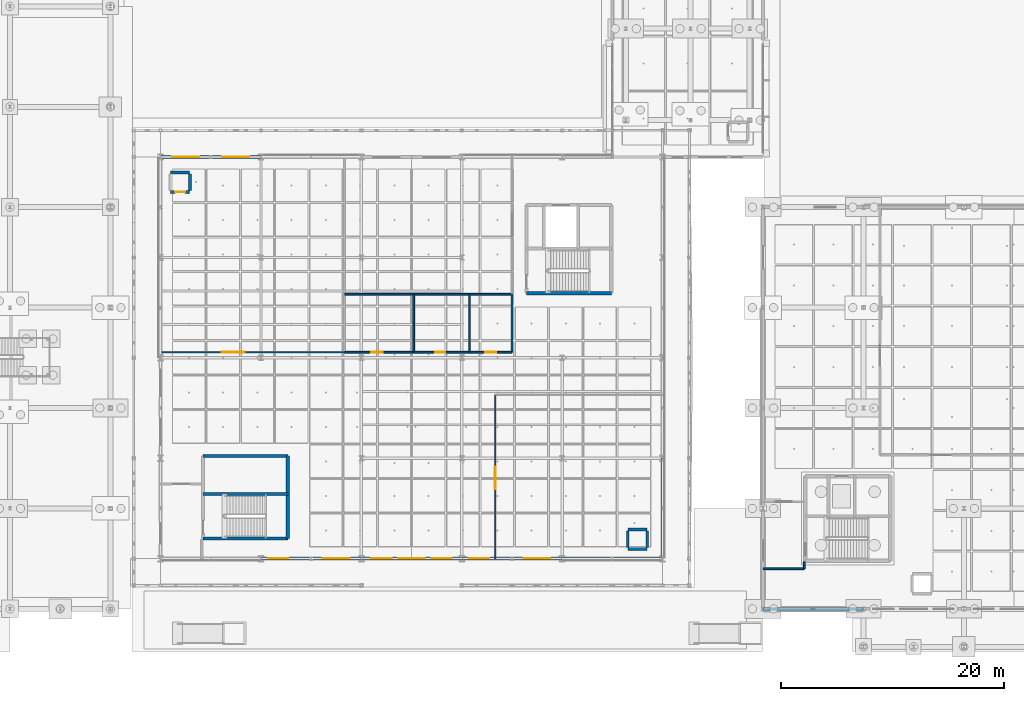
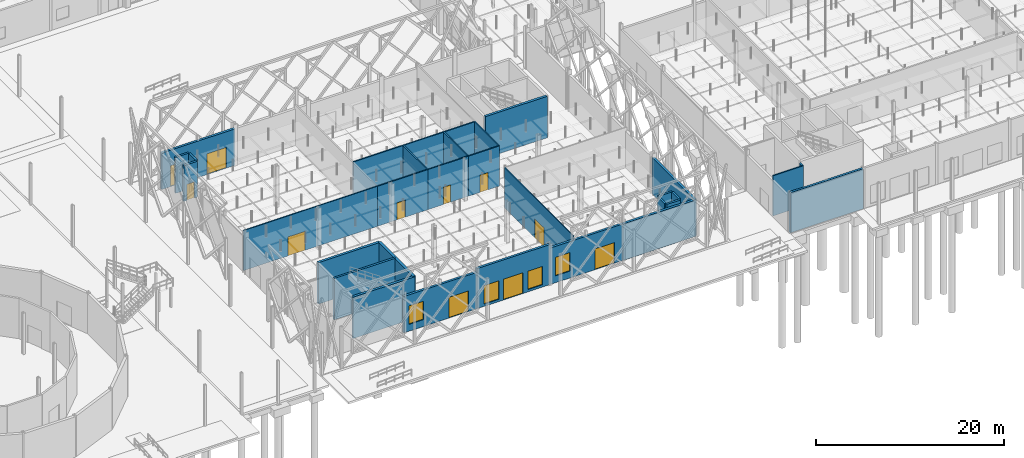
# One storey, part 95 of 180: 30 walls, 11 doors, 4 windows, 15 openings.
"""IFC4 building model written with IfcOpenShell, lengths in metres."""

from ifc_helpers import new_model, si_unit, direction, frame, frame_2d, origin, place, context, subcontext, project, spatial, rectangle, extrude, material, layer, layer_set, type_object, element, fill, save


model = new_model("IFC4")

# Units and contexts
model_context = context("Model", 3, precision=1e-05, world=origin(), true_north=direction((0.0, 1.0)))
body_context = subcontext(model_context, "Body", "Model", "MODEL_VIEW")
ifc_project = project(units=[si_unit("LENGTHUNIT", "METRE"), si_unit("AREAUNIT", "SQUARE_METRE"), si_unit("VOLUMEUNIT", "CUBIC_METRE"), si_unit("PLANEANGLEUNIT", "RADIAN"), si_unit("MASSUNIT", "GRAM", prefix="KILO"), si_unit("THERMODYNAMICTEMPERATUREUNIT", "KELVIN"), si_unit("POWERUNIT", "WATT")], contexts=[model_context])

# Site, building, storey
site_placement = place(None, origin())
site = spatial("IfcSite", under=ifc_project, at=site_placement, CompositionType="ELEMENT")
building_placement = place(site_placement, origin())
building = spatial("IfcBuilding", under=site, at=building_placement, Name="Tallowbark Science Centre", CompositionType="ELEMENT")
storey_placement = place(building_placement, origin())
storey = spatial("IfcBuildingStorey", under=building, at=storey_placement, Name="L00", CompositionType="ELEMENT", Elevation=0.0)

# Wall
ifc_material_1 = material(Name="Insulated Ribbed Precast Concrete Panel Grade N40 (40 MPa)", Category="concrete")
ifc_layer_1 = layer(ifc_material_1, 0.264892578125)
ifc_layer_set_1 = layer_set([ifc_layer_1], Name="Insulated Ribbed Precast Concrete Panel Grade N40 (40 MPa)")
wall_type_1 = type_object("IfcWallType", Name="EWL-PRC-265", PredefinedType="STANDARD", material=ifc_layer_set_1)
wall_1_placement = place(storey_placement, frame((112.5, 0.0, 0.0), z_axis=(0.0, 0.0, 1.0), x_axis=(1.0, 0.0, 0.0)))
element("IfcWall", 1, at=wall_1_placement, inside=storey, type_object=wall_type_1, Name="Exterior Wall THT-S-L00-0", PredefinedType="STANDARD", context=body_context, shape_type="SweptSolid", body=[
    extrude(rectangle(XDim=9.0, YDim=0.264892578125, at=frame_2d((4.5, 0.0))), origin(), (0.0, 0.0, 1.0), 5.219970703125),
])

# Wall, openings, doors
ifc_material_2 = material(Name="Spotted Gum Glulam and Mineral-Wool Rainscreen Assembly", Category="wood")
ifc_layer_2 = layer(ifc_material_2, 0.280029296875)
ifc_layer_set_2 = layer_set([ifc_layer_2], Name="Spotted Gum Glulam and Mineral-Wool Rainscreen Assembly")
wall_type_2 = type_object("IfcWallType", Name="EWL-TIM-280", PredefinedType="STANDARD", material=ifc_layer_set_2)
wall_2_placement = place(storey_placement, frame((67.5, 40.5, 0.0), z_axis=(0.0, 0.0, 1.0), x_axis=(-1.0, 0.0, 0.0)))
wall_2 = element("IfcWall", 2, at=wall_2_placement, inside=storey, type_object=wall_type_2, Name="Exterior Wall CUB-N-L00-0", PredefinedType="STANDARD", context=body_context, shape_type="SweptSolid", body=[
    extrude(rectangle(XDim=9.0, YDim=0.280029296875, at=frame_2d((4.5, 0.0))), origin(), (0.0, 0.0, 1.0), 4.74609375),
])
opening_1_placement = place(wall_2_placement, frame((1.050048828125, 0.0, 0.0)))
opening_1 = element("IfcOpeningElement", 3, at=opening_1_placement, cuts=wall_2, Name="Opening ED-01", PredefinedType="OPENING", context=body_context, shape_type="SweptSolid", body=[
    extrude(rectangle(XDim=2.39990234375, YDim=2.699951171875, at=frame_2d((1.199951171875, 1.35009765625))), frame((0.0, 0.14990234375, 0.0), z_axis=(0.0, -1.0, 0.0), x_axis=(1.0, 0.0, 0.0)), (0.0, 0.0, 1.0), 0.300048828125),
])
opening_2_placement = place(wall_2_placement, frame((5.550048828125, 0.0, 0.0)))
opening_2 = element("IfcOpeningElement", 4, at=opening_2_placement, cuts=wall_2, Name="Opening ED-01", PredefinedType="OPENING", context=body_context, shape_type="SweptSolid", body=[
    extrude(rectangle(XDim=2.39990234375, YDim=2.699951171875, at=frame_2d((1.199951171875, 1.35009765625))), frame((0.0, 0.14990234375, 0.0), z_axis=(0.0, -1.0, 0.0), x_axis=(1.0, 0.0, 0.0)), (0.0, 0.0, 1.0), 0.300048828125),
])
ifc_material_3 = material(Name="Thermally Broken Glazed Aluminium Frame", Category="aluminium")
door_type_1 = type_object("IfcDoorType", Name="EDR-GLZ-240", OperationType="DOUBLE_DOOR_SINGLE_SWING", PredefinedType="DOOR", material=ifc_material_3)
door_1_placement = place(opening_1_placement, origin())
door_1 = element("IfcDoor", 5, at=door_1_placement, inside=storey, type_object=door_type_1, Name="Exterior Door EDR-L00-001", OperationType="DOUBLE_DOOR_SINGLE_SWING", OverallHeight=2.699951171875, OverallWidth=2.39990234375, PredefinedType="DOOR", context=body_context, shape_type="SweptSolid", body=[
    extrude(rectangle(XDim=2.39990234375, YDim=2.699951171875, at=frame_2d((1.199951171875, 1.35009765625))), frame((0.0, 0.02490234375, 0.0), z_axis=(0.0, -1.0, 0.0), x_axis=(1.0, 0.0, 0.0)), (0.0, 0.0, 1.0), 0.050048828125),
])
fill(opening_1, door_1)
door_2_placement = place(opening_2_placement, origin())
door_2 = element("IfcDoor", 6, at=door_2_placement, inside=storey, type_object=door_type_1, Name="Exterior Door EDR-L00-002", OperationType="DOUBLE_DOOR_SINGLE_SWING", OverallHeight=2.699951171875, OverallWidth=2.39990234375, PredefinedType="DOOR", context=body_context, shape_type="SweptSolid", body=[
    extrude(rectangle(XDim=2.39990234375, YDim=2.699951171875, at=frame_2d((1.199951171875, 1.35009765625))), frame((0.0, 0.02490234375, 0.0), z_axis=(0.0, -1.0, 0.0), x_axis=(1.0, 0.0, 0.0)), (0.0, 0.0, 1.0), 0.050048828125),
])
fill(opening_2, door_2)

# Wall, openings, door, window
wall_3_placement = place(storey_placement, frame((67.5, 4.5, 0.0), z_axis=(0.0, 0.0, 1.0), x_axis=(1.0, 0.0, 0.0)))
wall_3 = element("IfcWall", 7, at=wall_3_placement, inside=storey, type_object=wall_type_2, Name="Exterior Wall CUB-S-L00-1", PredefinedType="STANDARD", context=body_context, shape_type="SweptSolid", body=[
    extrude(rectangle(XDim=9.0, YDim=0.280029296875, at=frame_2d((4.5, 0.0))), origin(), (0.0, 0.0, 1.0), 4.74609375),
])
opening_3_placement = place(wall_3_placement, frame((0.64990234375, 0.0, 0.89990234375)))
opening_3 = element("IfcOpeningElement", 8, at=opening_3_placement, cuts=wall_3, Name="Opening W-12", PredefinedType="OPENING", context=body_context, shape_type="SweptSolid", body=[
    extrude(rectangle(XDim=1.800048828125, YDim=2.39990234375, at=frame_2d((0.89990234375, 1.199951171875))), frame((0.0, 0.14990234375, 0.0), z_axis=(0.0, -1.0, 0.0), x_axis=(1.0, 0.0, 0.0)), (0.0, 0.0, 1.0), 0.300048828125),
])
opening_4_placement = place(wall_3_placement, frame((5.550048828125, 0.0, 0.0)))
opening_4 = element("IfcOpeningElement", 9, at=opening_4_placement, cuts=wall_3, Name="Opening ED-01", PredefinedType="OPENING", context=body_context, shape_type="SweptSolid", body=[
    extrude(rectangle(XDim=2.39990234375, YDim=2.699951171875, at=frame_2d((1.199951171875, 1.35009765625))), frame((0.0, 0.14990234375, 0.0), z_axis=(0.0, -1.0, 0.0), x_axis=(1.0, 0.0, 0.0)), (0.0, 0.0, 1.0), 0.300048828125),
])
door_3_placement = place(opening_4_placement, origin())
door_3 = element("IfcDoor", 10, at=door_3_placement, inside=storey, type_object=door_type_1, Name="Exterior Door EDR-L00-003", OperationType="DOUBLE_DOOR_SINGLE_SWING", OverallHeight=2.699951171875, OverallWidth=2.39990234375, PredefinedType="DOOR", context=body_context, shape_type="SweptSolid", body=[
    extrude(rectangle(XDim=2.39990234375, YDim=2.699951171875, at=frame_2d((1.199951171875, 1.35009765625))), frame((0.0, 0.02490234375, 0.0), z_axis=(0.0, -1.0, 0.0), x_axis=(1.0, 0.0, 0.0)), (0.0, 0.0, 1.0), 0.050048828125),
])
fill(opening_4, door_3)
ifc_material_4 = material(Name="Thermally Broken Aluminium and Low-E Double Glazing", Category="aluminium")
window_type = type_object("IfcWindowType", Name="WIN-F180x240", PartitioningType="SINGLE_PANEL", PredefinedType="WINDOW", material=ifc_material_4)
window_1_placement = place(opening_3_placement, origin())
window_1 = element("IfcWindow", 11, at=window_1_placement, inside=storey, type_object=window_type, Name="Window WIN-L00-0009", OverallHeight=2.39990234375, OverallWidth=1.800048828125, PartitioningType="SINGLE_PANEL", PredefinedType="WINDOW", context=body_context, shape_type="SweptSolid", body=[
    extrude(rectangle(XDim=1.800048828125, YDim=2.39990234375, at=frame_2d((0.89990234375, 1.199951171875))), frame((0.0, 0.030029296875, 0.0), z_axis=(0.0, -1.0, 0.0), x_axis=(1.0, 0.0, 0.0)), (0.0, 0.0, 1.0), 0.06005859375),
])
fill(opening_3, window_1)

# Wall, openings, door, windows
wall_4_placement = place(storey_placement, frame((76.5, 4.5, 0.0), z_axis=(0.0, 0.0, 1.0), x_axis=(1.0, 0.0, 0.0)))
wall_4 = element("IfcWall", 12, at=wall_4_placement, inside=storey, type_object=wall_type_2, Name="Exterior Wall CUB-S-L00-2", PredefinedType="STANDARD", context=body_context, shape_type="SweptSolid", body=[
    extrude(rectangle(XDim=9.0, YDim=0.280029296875, at=frame_2d((4.5, 0.0))), origin(), (0.0, 0.0, 1.0), 5.219970703125),
])
opening_5_placement = place(wall_4_placement, frame((0.89990234375, 0.0, 0.300048828125)))
opening_5 = element("IfcOpeningElement", 13, at=opening_5_placement, cuts=wall_4, Name="Opening W-12", PredefinedType="OPENING", context=body_context, shape_type="SweptSolid", body=[
    extrude(rectangle(XDim=1.800048828125, YDim=2.39990234375, at=frame_2d((0.89990234375, 1.199951171875))), frame((0.0, 0.14990234375, 0.0), z_axis=(0.0, -1.0, 0.0), x_axis=(1.0, 0.0, 0.0)), (0.0, 0.0, 1.0), 0.300048828125),
])
opening_6_placement = place(wall_4_placement, frame((6.300048828125, 0.0, 0.300048828125)))
opening_6 = element("IfcOpeningElement", 14, at=opening_6_placement, cuts=wall_4, Name="Opening W-12", PredefinedType="OPENING", context=body_context, shape_type="SweptSolid", body=[
    extrude(rectangle(XDim=1.800048828125, YDim=2.39990234375, at=frame_2d((0.89990234375, 1.199951171875))), frame((0.0, 0.14990234375, 0.0), z_axis=(0.0, -1.0, 0.0), x_axis=(1.0, 0.0, 0.0)), (0.0, 0.0, 1.0), 0.300048828125),
])
opening_7_placement = place(wall_4_placement, frame((3.300048828125, 0.0, 0.0)))
opening_7 = element("IfcOpeningElement", 15, at=opening_7_placement, cuts=wall_4, Name="Opening ED-01", PredefinedType="OPENING", context=body_context, shape_type="SweptSolid", body=[
    extrude(rectangle(XDim=2.39990234375, YDim=2.699951171875, at=frame_2d((1.199951171875, 1.35009765625))), frame((0.0, 0.14990234375, 0.0), z_axis=(0.0, -1.0, 0.0), x_axis=(1.0, 0.0, 0.0)), (0.0, 0.0, 1.0), 0.300048828125),
])
door_4_placement = place(opening_7_placement, origin())
door_4 = element("IfcDoor", 16, at=door_4_placement, inside=storey, type_object=door_type_1, Name="Exterior Door EDR-L00-004", OperationType="DOUBLE_DOOR_SINGLE_SWING", OverallHeight=2.699951171875, OverallWidth=2.39990234375, PredefinedType="DOOR", context=body_context, shape_type="SweptSolid", body=[
    extrude(rectangle(XDim=2.39990234375, YDim=2.699951171875, at=frame_2d((1.199951171875, 1.35009765625))), frame((0.0, 0.02490234375, 0.0), z_axis=(0.0, -1.0, 0.0), x_axis=(1.0, 0.0, 0.0)), (0.0, 0.0, 1.0), 0.050048828125),
])
fill(opening_7, door_4)
window_2_placement = place(opening_5_placement, origin())
window_2 = element("IfcWindow", 17, at=window_2_placement, inside=storey, type_object=window_type, Name="Window WIN-L00-0010", OverallHeight=2.39990234375, OverallWidth=1.800048828125, PartitioningType="SINGLE_PANEL", PredefinedType="WINDOW", context=body_context, shape_type="SweptSolid", body=[
    extrude(rectangle(XDim=1.800048828125, YDim=2.39990234375, at=frame_2d((0.89990234375, 1.199951171875))), frame((0.0, 0.030029296875, 0.0), z_axis=(0.0, -1.0, 0.0), x_axis=(1.0, 0.0, 0.0)), (0.0, 0.0, 1.0), 0.06005859375),
])
fill(opening_5, window_2)
window_3_placement = place(opening_6_placement, origin())
window_3 = element("IfcWindow", 18, at=window_3_placement, inside=storey, type_object=window_type, Name="Window WIN-L00-0011", OverallHeight=2.39990234375, OverallWidth=1.800048828125, PartitioningType="SINGLE_PANEL", PredefinedType="WINDOW", context=body_context, shape_type="SweptSolid", body=[
    extrude(rectangle(XDim=1.800048828125, YDim=2.39990234375, at=frame_2d((0.89990234375, 1.199951171875))), frame((0.0, 0.030029296875, 0.0), z_axis=(0.0, -1.0, 0.0), x_axis=(1.0, 0.0, 0.0)), (0.0, 0.0, 1.0), 0.06005859375),
])
fill(opening_6, window_3)

# Wall, openings, door, window
wall_5_placement = place(storey_placement, frame((85.5, 4.5, 0.0), z_axis=(0.0, 0.0, 1.0), x_axis=(1.0, 0.0, 0.0)))
wall_5 = element("IfcWall", 19, at=wall_5_placement, inside=storey, type_object=wall_type_2, Name="Exterior Wall CUB-S-L00-3", PredefinedType="STANDARD", context=body_context, shape_type="SweptSolid", body=[
    extrude(rectangle(XDim=9.0, YDim=0.280029296875, at=frame_2d((4.5, 0.0))), origin(), (0.0, 0.0, 1.0), 4.74609375),
])
opening_8_placement = place(wall_5_placement, frame((0.64990234375, 0.0, 0.89990234375)))
opening_8 = element("IfcOpeningElement", 20, at=opening_8_placement, cuts=wall_5, Name="Opening W-12", PredefinedType="OPENING", context=body_context, shape_type="SweptSolid", body=[
    extrude(rectangle(XDim=1.800048828125, YDim=2.39990234375, at=frame_2d((0.89990234375, 1.199951171875))), frame((0.0, 0.14990234375, 0.0), z_axis=(0.0, -1.0, 0.0), x_axis=(1.0, 0.0, 0.0)), (0.0, 0.0, 1.0), 0.300048828125),
])
opening_9_placement = place(wall_5_placement, frame((5.550048828125, 0.0, 0.0)))
opening_9 = element("IfcOpeningElement", 21, at=opening_9_placement, cuts=wall_5, Name="Opening ED-01", PredefinedType="OPENING", context=body_context, shape_type="SweptSolid", body=[
    extrude(rectangle(XDim=2.39990234375, YDim=2.699951171875, at=frame_2d((1.199951171875, 1.35009765625))), frame((0.0, 0.14990234375, 0.0), z_axis=(0.0, -1.0, 0.0), x_axis=(1.0, 0.0, 0.0)), (0.0, 0.0, 1.0), 0.300048828125),
])
door_5_placement = place(opening_9_placement, origin())
door_5 = element("IfcDoor", 22, at=door_5_placement, inside=storey, type_object=door_type_1, Name="Exterior Door EDR-L00-007", OperationType="DOUBLE_DOOR_SINGLE_SWING", OverallHeight=2.699951171875, OverallWidth=2.39990234375, PredefinedType="DOOR", context=body_context, shape_type="SweptSolid", body=[
    extrude(rectangle(XDim=2.39990234375, YDim=2.699951171875, at=frame_2d((1.199951171875, 1.35009765625))), frame((0.0, 0.02490234375, 0.0), z_axis=(0.0, -1.0, 0.0), x_axis=(1.0, 0.0, 0.0)), (0.0, 0.0, 1.0), 0.050048828125),
])
fill(opening_9, door_5)
window_4_placement = place(opening_8_placement, origin())
window_4 = element("IfcWindow", 23, at=window_4_placement, inside=storey, type_object=window_type, Name="Window WIN-L00-0012", OverallHeight=2.39990234375, OverallWidth=1.800048828125, PartitioningType="SINGLE_PANEL", PredefinedType="WINDOW", context=body_context, shape_type="SweptSolid", body=[
    extrude(rectangle(XDim=1.800048828125, YDim=2.39990234375, at=frame_2d((0.89990234375, 1.199951171875))), frame((0.0, 0.030029296875, 0.0), z_axis=(0.0, -1.0, 0.0), x_axis=(1.0, 0.0, 0.0)), (0.0, 0.0, 1.0), 0.06005859375),
])
fill(opening_8, window_4)

# Walls
ifc_material_5 = material(Name="Spotted Gum Acoustic Cassette Wall Assembly", Category="wood")
ifc_layer_3 = layer(ifc_material_5, 0.294921875)
ifc_layer_set_3 = layer_set([ifc_layer_3], Name="Spotted Gum Acoustic Cassette Wall Assembly")
wall_type_3 = type_object("IfcWallType", Name="EWL-TIM-295", PredefinedType="STANDARD", material=ifc_layer_set_3)
for number, where, z_axis, x_axis, name in (
    (24, (94.5, 4.5, 0.0), (0.0, 0.0, 1.0), (1.0, 0.0, 0.0), "Exterior Wall CUB-S-L00-4"),
    (25, (103.5, 4.5, 0.0), (0.0, 0.0, 1.0), (0.0, 1.0, 0.0), "Exterior Wall CUB-E-L00-0"),
):
    element("IfcWall", number, at=place(storey_placement, frame(where, z_axis=z_axis, x_axis=x_axis)), inside=storey, type_object=wall_type_3, Name=name, PredefinedType="STANDARD", context=body_context, shape_type="SweptSolid", body=[
        extrude(rectangle(XDim=9.0, YDim=0.294921875, at=frame_2d((4.5, 0.0))), origin(), (0.0, 0.0, 1.0), 4.74609375),
    ])

# Wall, opening, door
ifc_material_6 = material(Name="150 mm Wet-Area Moisture-Resistant Partition")
ifc_layer_4 = layer(ifc_material_6, 0.14990234375)
ifc_layer_set_4 = layer_set([ifc_layer_4], Name="150 mm Wet-Area Moisture-Resistant Partition")
wall_type_4 = type_object("IfcWallType", Name="PTW-150", PredefinedType="PARTITIONING", material=ifc_layer_set_4)
wall_6_placement = place(storey_placement, frame((75.0, 23.0, 0.0), z_axis=(0.0, 0.0, 1.0), x_axis=(1.0, 0.0, 0.0)))
wall_6 = element("IfcWall", 26, at=wall_6_placement, inside=storey, type_object=wall_type_4, Name="Interior Partition PTW-L00-0102", PredefinedType="PARTITIONING", context=body_context, shape_type="SweptSolid", body=[
    extrude(rectangle(XDim=6.199951171875, YDim=0.14990234375, at=frame_2d((3.10009765625, 0.0))), origin(), (0.0, 0.0, 1.0), 5.219970703125),
])
opening_10_placement = place(wall_6_placement, frame((2.39990234375, 0.0, 0.0)))
opening_10 = element("IfcOpeningElement", 27, at=opening_10_placement, cuts=wall_6, Name="Opening DS-35", PredefinedType="OPENING", context=body_context, shape_type="SweptSolid", body=[
    extrude(rectangle(XDim=1.0, YDim=2.22509765625, at=frame_2d((0.5, 1.112548828125))), frame((0.0, 0.0849609375, 0.0), z_axis=(0.0, -1.0, 0.0), x_axis=(1.0, 0.0, 0.0)), (0.0, 0.0, 1.0), 0.169921875),
])
ifc_material_7 = material(Name="Moisture-Resistant Laminate Leaf")
door_type_2 = type_object("IfcDoorType", Name="IDR-WC-092-S35", OperationType="NOTDEFINED", PredefinedType="DOOR", material=ifc_material_7)
door_6_placement = place(opening_10_placement, origin())
door_6 = element("IfcDoor", 28, at=door_6_placement, inside=storey, type_object=door_type_2, Name="Interior Door IDR-L00-0035", OperationType="SINGLE_SWING_RIGHT", OverallHeight=2.22509765625, OverallWidth=1.0, PredefinedType="DOOR", context=body_context, shape_type="SweptSolid", body=[
    extrude(rectangle(XDim=1.0, YDim=2.22509765625, at=frame_2d((0.5, 1.112548828125))), frame((0.0, 0.02490234375, 0.0), z_axis=(0.0, -1.0, 0.0), x_axis=(1.0, 0.0, 0.0)), (0.0, 0.0, 1.0), 0.050048828125),
])
fill(opening_10, door_6)

wall_7_placement = place(storey_placement, frame((81.199951171875, 23.0, 0.0), z_axis=(0.0, 0.0, 1.0), x_axis=(1.0, 0.0, 0.0)))
wall_7 = element("IfcWall", 29, at=wall_7_placement, inside=storey, type_object=wall_type_4, Name="Interior Partition PTW-L00-0103", PredefinedType="PARTITIONING", context=body_context, shape_type="SweptSolid", body=[
    extrude(rectangle(XDim=5.0, YDim=0.14990234375, at=frame_2d((2.5, 0.0))), origin(), (0.0, 0.0, 1.0), 5.219970703125),
])
opening_11_placement = place(wall_7_placement, frame((1.89990234375, 0.0, 0.0)))
opening_11 = element("IfcOpeningElement", 30, at=opening_11_placement, cuts=wall_7, Name="Opening DS-36", PredefinedType="OPENING", context=body_context, shape_type="SweptSolid", body=[
    extrude(rectangle(XDim=0.89990234375, YDim=2.25, at=frame_2d((0.449951171875, 1.125))), frame((0.0, 0.0849609375, 0.0), z_axis=(0.0, -1.0, 0.0), x_axis=(1.0, 0.0, 0.0)), (0.0, 0.0, 1.0), 0.169921875),
])
door_type_3 = type_object("IfcDoorType", Name="IDR-WC-092-S36", OperationType="NOTDEFINED", PredefinedType="DOOR", material=ifc_material_7)
door_7_placement = place(opening_11_placement, origin())
door_7 = element("IfcDoor", 31, at=door_7_placement, inside=storey, type_object=door_type_3, Name="Interior Door IDR-L00-0036", OperationType="SINGLE_SWING_LEFT", OverallHeight=2.25, OverallWidth=0.89990234375, PredefinedType="DOOR", context=body_context, shape_type="SweptSolid", body=[
    extrude(rectangle(XDim=0.89990234375, YDim=2.25, at=frame_2d((0.449951171875, 1.125))), frame((0.0, 0.02490234375, 0.0), z_axis=(0.0, -1.0, 0.0), x_axis=(1.0, 0.0, 0.0)), (0.0, 0.0, 1.0), 0.050048828125),
])
fill(opening_11, door_7)

wall_8_placement = place(storey_placement, frame((86.199951171875, 23.0, 0.0), z_axis=(0.0, 0.0, 1.0), x_axis=(1.0, 0.0, 0.0)))
wall_8 = element("IfcWall", 32, at=wall_8_placement, inside=storey, type_object=wall_type_4, Name="Interior Partition PTW-L00-0104", PredefinedType="PARTITIONING", context=body_context, shape_type="SweptSolid", body=[
    extrude(rectangle(XDim=3.800048828125, YDim=0.14990234375, at=frame_2d((1.89990234375, 0.0))), origin(), (0.0, 0.0, 1.0), 5.219970703125),
])
opening_12_placement = place(wall_8_placement, frame((1.39990234375, 0.0, 0.0)))
opening_12 = element("IfcOpeningElement", 33, at=opening_12_placement, cuts=wall_8, Name="Opening DS-37", PredefinedType="OPENING", context=body_context, shape_type="SweptSolid", body=[
    extrude(rectangle(XDim=1.0, YDim=2.25, at=frame_2d((0.5, 1.125))), frame((0.0, 0.0849609375, 0.0), z_axis=(0.0, -1.0, 0.0), x_axis=(1.0, 0.0, 0.0)), (0.0, 0.0, 1.0), 0.169921875),
])
ifc_material_8 = material(Name="Accessible Cavity Sliding Leaf")
door_type_4 = type_object("IfcDoorType", Name="IDR-AWC-100-S37", OperationType="SLIDING_TO_LEFT", PredefinedType="DOOR", material=ifc_material_8)
door_8_placement = place(opening_12_placement, origin())
door_8 = element("IfcDoor", 34, at=door_8_placement, inside=storey, type_object=door_type_4, Name="Interior Door IDR-L00-0037", OperationType="SLIDING_TO_LEFT", OverallHeight=2.25, OverallWidth=1.0, PredefinedType="DOOR", context=body_context, shape_type="SweptSolid", body=[
    extrude(rectangle(XDim=1.0, YDim=2.25, at=frame_2d((0.5, 1.125))), frame((0.0, 0.02490234375, 0.0), z_axis=(0.0, -1.0, 0.0), x_axis=(1.0, 0.0, 0.0)), (0.0, 0.0, 1.0), 0.050048828125),
])
fill(opening_12, door_8)

# Walls
for number, where, z_axis, x_axis, name in (
    (35, (81.199951171875, 23.0, 0.0), (0.0, 0.0, 1.0), (0.0, 1.0, 0.0), "Interior Partition PTW-L00-0106"),
    (36, (86.199951171875, 23.0, 0.0), (0.0, 0.0, 1.0), (0.0, 1.0, 0.0), "Interior Partition PTW-L00-0107"),
):
    element("IfcWall", number, at=place(storey_placement, frame(where, z_axis=z_axis, x_axis=x_axis)), inside=storey, type_object=wall_type_4, Name=name, PredefinedType="PARTITIONING", context=body_context, shape_type="SweptSolid", body=[
        extrude(rectangle(XDim=5.199951171875, YDim=0.14990234375, at=frame_2d((2.60009765625, 0.0))), origin(), (0.0, 0.0, 1.0), 5.219970703125),
    ])
wall_9_placement = place(storey_placement, frame((75.0, 28.199951171875, 0.0), z_axis=(0.0, 0.0, 1.0), x_axis=(1.0, 0.0, 0.0)))
element("IfcWall", 37, at=wall_9_placement, inside=storey, type_object=wall_type_4, Name="Interior Partition PTW-L00-0108", PredefinedType="PARTITIONING", context=body_context, shape_type="SweptSolid", body=[
    extrude(rectangle(XDim=15.0, YDim=0.14990234375, at=frame_2d((7.5, 0.0))), origin(), (0.0, 0.0, 1.0), 5.219970703125),
])
wall_10_placement = place(storey_placement, frame((90.0, 23.0, 0.0), z_axis=(0.0, 0.0, 1.0), x_axis=(0.0, 1.0, 0.0)))
element("IfcWall", 38, at=wall_10_placement, inside=storey, type_object=wall_type_4, Name="Interior Partition PTW-L00-0109", PredefinedType="PARTITIONING", context=body_context, shape_type="SweptSolid", body=[
    extrude(rectangle(XDim=5.199951171875, YDim=0.14990234375, at=frame_2d((2.60009765625, 0.0))), origin(), (0.0, 0.0, 1.0), 5.219970703125),
])
ifc_material_9 = material(Name="162 mm Double-Stud Fire-Rated Corridor Partition")
ifc_layer_5 = layer(ifc_material_9, 0.162109375)
ifc_layer_set_5 = layer_set([ifc_layer_5], Name="162 mm Double-Stud Fire-Rated Corridor Partition")
wall_type_5 = type_object("IfcWallType", Name="PTW-162", PredefinedType="PARTITIONING", material=ifc_layer_set_5)
wall_11_placement = place(storey_placement, frame((112.5, 3.60009765625, 0.0), z_axis=(0.0, 0.0, 1.0), x_axis=(1.0, 0.0, 0.0)))
element("IfcWall", 39, at=wall_11_placement, inside=storey, type_object=wall_type_5, Name="Interior Partition PTW-L00-0141", PredefinedType="PARTITIONING", context=body_context, shape_type="SweptSolid", body=[
    extrude(rectangle(XDim=3.699951171875, YDim=0.162109375, at=frame_2d((1.85009765625, 0.0))), origin(), (0.0, 0.0, 1.0), 5.219970703125),
])
wall_12_placement = place(storey_placement, frame((116.199951171875, 3.60009765625, 0.0), z_axis=(0.0, 0.0, 1.0), x_axis=(0.0, 1.0, 0.0)))
element("IfcWall", 40, at=wall_12_placement, inside=storey, type_object=wall_type_5, Name="Interior Partition PTW-L00-0142", PredefinedType="PARTITIONING", context=body_context, shape_type="SweptSolid", body=[
    extrude(rectangle(XDim=0.599853515625, YDim=0.162109375, at=frame_2d((0.2998046875, 0.0))), origin(), (0.0, 0.0, 1.0), 5.219970703125),
])

# Wall, opening, door
ifc_material_10 = material(Name="108 mm Acoustic Double-Glazed Laboratory Partition")
ifc_layer_6 = layer(ifc_material_10, 0.10791015625)
ifc_layer_set_6 = layer_set([ifc_layer_6], Name="108 mm Acoustic Double-Glazed Laboratory Partition")
wall_type_6 = type_object("IfcWallType", Name="PTW-GLZ-108", PredefinedType="PARTITIONING", material=ifc_layer_set_6)
wall_13_placement = place(storey_placement, frame((88.5, 4.5, 0.0), z_axis=(0.0, 0.0, 1.0), x_axis=(0.0, 1.0, 0.0)))
wall_13 = element("IfcWall", 41, at=wall_13_placement, inside=storey, type_object=wall_type_6, Name="Interior Partition PTW-L00-0099", PredefinedType="PARTITIONING", context=body_context, shape_type="SweptSolid", body=[
    extrude(rectangle(XDim=14.699951171875, YDim=0.10791015625, at=frame_2d((7.35009765625, 0.0))), origin(), (0.0, 0.0, 1.0), 5.219970703125),
])
opening_13_placement = place(wall_13_placement, frame((6.199951171875, 0.0, 0.0)))
opening_13 = element("IfcOpeningElement", 42, at=opening_13_placement, cuts=wall_13, Name="Opening DS-33", PredefinedType="OPENING", context=body_context, shape_type="SweptSolid", body=[
    extrude(rectangle(XDim=2.0400390625, YDim=2.47509765625, at=frame_2d((1.02001953125, 1.237548828125))), frame((0.0, 0.06396484375, 0.0), z_axis=(0.0, -1.0, 0.0), x_axis=(1.0, 0.0, 0.0)), (0.0, 0.0, 1.0), 0.1279296875),
])
ifc_material_11 = material(Name="Spotted Gum Acoustic Gallery Pair", Category="wood")
door_type_5 = type_object("IfcDoorType", Name="IDR-GAL-200-S33", OperationType="DOUBLE_DOOR_DOUBLE_SWING", PredefinedType="DOOR", material=ifc_material_11)
door_9_placement = place(opening_13_placement, origin())
door_9 = element("IfcDoor", 43, at=door_9_placement, inside=storey, type_object=door_type_5, Name="Interior Door IDR-L00-0033", OperationType="DOUBLE_DOOR_DOUBLE_SWING", OverallHeight=2.47509765625, OverallWidth=2.0400390625, PredefinedType="DOOR", context=body_context, shape_type="SweptSolid", body=[
    extrude(rectangle(XDim=2.0400390625, YDim=2.47509765625, at=frame_2d((1.02001953125, 1.237548828125))), frame((0.0, 0.02490234375, 0.0), z_axis=(0.0, -1.0, 0.0), x_axis=(1.0, 0.0, 0.0)), (0.0, 0.0, 1.0), 0.050048828125),
])
fill(opening_13, door_9)

ifc_material_12 = material(Name="125 mm Top-Hung Operable Acoustic Exhibition Partition")
ifc_layer_7 = layer(ifc_material_12, 0.125)
ifc_layer_set_7 = layer_set([ifc_layer_7], Name="125 mm Top-Hung Operable Acoustic Exhibition Partition")
wall_type_7 = type_object("IfcWallType", Name="PTW-MOV-125", PredefinedType="MOVABLE", material=ifc_layer_set_7)
wall_14_placement = place(storey_placement, frame((58.5, 23.0, 0.0), z_axis=(0.0, 0.0, 1.0), x_axis=(1.0, 0.0, 0.0)))
wall_14 = element("IfcWall", 44, at=wall_14_placement, inside=storey, type_object=wall_type_7, Name="Interior Partition PTW-L00-0101", PredefinedType="MOVABLE", context=body_context, shape_type="SweptSolid", body=[
    extrude(rectangle(XDim=16.5, YDim=0.125, at=frame_2d((8.25, 0.0))), origin(), (0.0, 0.0, 1.0), 5.219970703125),
])
opening_14_placement = place(wall_14_placement, frame((5.5, 0.0, 0.0)))
opening_14 = element("IfcOpeningElement", 45, at=opening_14_placement, cuts=wall_14, Name="Opening DS-34", PredefinedType="OPENING", context=body_context, shape_type="SweptSolid", body=[
    extrude(rectangle(XDim=2.06005859375, YDim=2.47509765625, at=frame_2d((1.030029296875, 1.237548828125))), frame((0.0, 0.072509765625, 0.0), z_axis=(0.0, -1.0, 0.0), x_axis=(1.0, 0.0, 0.0)), (0.0, 0.0, 1.0), 0.14501953125),
])
door_type_6 = type_object("IfcDoorType", Name="IDR-GAL-200-S34", OperationType="DOUBLE_DOOR_DOUBLE_SWING", PredefinedType="DOOR", material=ifc_material_11)
door_10_placement = place(opening_14_placement, origin())
door_10 = element("IfcDoor", 46, at=door_10_placement, inside=storey, type_object=door_type_6, Name="Interior Door IDR-L00-0034", OperationType="DOUBLE_DOOR_DOUBLE_SWING", OverallHeight=2.47509765625, OverallWidth=2.06005859375, PredefinedType="DOOR", context=body_context, shape_type="SweptSolid", body=[
    extrude(rectangle(XDim=2.06005859375, YDim=2.47509765625, at=frame_2d((1.030029296875, 1.237548828125))), frame((0.0, 0.02490234375, 0.0), z_axis=(0.0, -1.0, 0.0), x_axis=(1.0, 0.0, 0.0)), (0.0, 0.0, 1.0), 0.050048828125),
])
fill(opening_14, door_10)

# Walls
ifc_material_13 = material(Name="Concrete Grade N40 (40 MPa)", Category="concrete")
ifc_layer_8 = layer(ifc_material_13, 0.300048828125)
ifc_layer_set_8 = layer_set([ifc_layer_8], Name="Concrete Grade N40 (40 MPa)")
wall_type_8 = type_object("IfcWallType", Name="WL-CORE-300", PredefinedType="SHEAR", material=ifc_layer_set_8)
wall_15_placement = place(storey_placement, frame((91.300048828125, 28.300048828125, 0.0), z_axis=(0.0, 0.0, 1.0), x_axis=(1.0, 0.0, 0.0)))
element("IfcWall", 47, at=wall_15_placement, inside=storey, type_object=wall_type_8, Name="Core C3 Shear Wall L00 S", PredefinedType="SHEAR", context=body_context, shape_type="SweptSolid", body=[
    extrude(rectangle(XDim=7.599853515625, YDim=0.300048828125, at=frame_2d((3.7998046875, 0.0))), origin(), (0.0, 0.0, 1.0), 5.39990234375),
])
wall_16_placement = place(storey_placement, frame((69.89990234375, 6.300048828125, 0.0), z_axis=(0.0, 0.0, 1.0), x_axis=(0.0, 1.0, 0.0)))
element("IfcWall", 48, at=wall_16_placement, inside=storey, type_object=wall_type_8, Name="Core C7 Shear Wall L00 E", PredefinedType="SHEAR", context=body_context, shape_type="SweptSolid", body=[
    extrude(rectangle(XDim=7.39990234375, YDim=0.300048828125, at=frame_2d((3.699951171875, 0.0))), origin(), (0.0, 0.0, 1.0), 5.39990234375),
])
for number, where, z_axis, x_axis, name in (
    (49, (62.300048828125, 6.300048828125, 0.0), (0.0, 0.0, 1.0), (1.0, 0.0, 0.0), "Core C7 Shear Wall L00 S"),
    (50, (62.300048828125, 13.699951171875, 0.0), (0.0, 0.0, 1.0), (1.0, 0.0, 0.0), "Core C7 Shear Wall L00 N"),
):
    element("IfcWall", number, at=place(storey_placement, frame(where, z_axis=z_axis, x_axis=x_axis)), inside=storey, type_object=wall_type_8, Name=name, PredefinedType="SHEAR", context=body_context, shape_type="SweptSolid", body=[
        extrude(rectangle(XDim=7.599853515625, YDim=0.300048828125, at=frame_2d((3.7998046875, 0.0))), origin(), (0.0, 0.0, 1.0), 5.39990234375),
    ])
ifc_layer_9 = layer(ifc_material_13, 0.25)
ifc_layer_set_9 = layer_set([ifc_layer_9], Name="Concrete Grade N40 (40 MPa)")
wall_type_9 = type_object("IfcWallType", Name="WL-SHAFT-250", PredefinedType="SHEAR", material=ifc_layer_set_9)
wall_17_placement = place(storey_placement, frame((62.300048828125, 10.294921875, 0.0), z_axis=(0.0, 0.0, 1.0), x_axis=(1.0, 0.0, 0.0)))
element("IfcWall", 51, at=wall_17_placement, inside=storey, type_object=wall_type_9, Name="Core C7 Shear Wall L00 MID", PredefinedType="SHEAR", context=body_context, shape_type="SweptSolid", body=[
    extrude(rectangle(XDim=7.599853515625, YDim=0.25, at=frame_2d((3.7998046875, 0.0))), origin(), (0.0, 0.0, 1.0), 5.39990234375),
])

# Wall, opening, door
wall_18_placement = place(storey_placement, frame((59.39990234375, 37.375, 0.0), z_axis=(0.0, 0.0, 1.0), x_axis=(1.0, 0.0, 0.0)))
wall_18 = element("IfcWall", 52, at=wall_18_placement, inside=storey, type_object=wall_type_9, Name="Service Riser Shaft Wall RSR-CUB-W L00 S", PredefinedType="SHEAR", context=body_context, shape_type="SweptSolid", body=[
    extrude(rectangle(XDim=1.7001953125, YDim=0.25, at=frame_2d((0.85009765625, 0.0))), origin(), (0.0, 0.0, 1.0), 4.669921875),
])
opening_15_placement = place(wall_18_placement, frame((0.39990234375, 0.0, 0.0)))
opening_15 = element("IfcOpeningElement", 53, at=opening_15_placement, cuts=wall_18, Name="Opening FD-05", PredefinedType="OPENING", context=body_context, shape_type="SweptSolid", body=[
    extrude(rectangle(XDim=0.89990234375, YDim=2.10009765625, at=frame_2d((0.449951171875, 1.050048828125))), frame((0.0, 0.135009765625, 0.0), z_axis=(0.0, -1.0, 0.0), x_axis=(1.0, 0.0, 0.0)), (0.0, 0.0, 1.0), 0.27001953125),
])
ifc_material_14 = material(Name="Fire-Rated Riser Access Door")
door_type_7 = type_object("IfcDoorType", Name="FDR-RIS-090", OperationType="NOTDEFINED", PredefinedType="DOOR", material=ifc_material_14)
door_11_placement = place(opening_15_placement, origin())
door_11 = element("IfcDoor", 54, at=door_11_placement, inside=storey, type_object=door_type_7, Name="Service Riser Access Door 1", OperationType="SINGLE_SWING_LEFT", OverallHeight=2.10009765625, OverallWidth=0.89990234375, PredefinedType="DOOR", context=body_context, shape_type="SweptSolid", body=[
    extrude(rectangle(XDim=0.89990234375, YDim=2.10009765625, at=frame_2d((0.449951171875, 1.050048828125))), frame((0.0, 0.02490234375, 0.0), z_axis=(0.0, -1.0, 0.0), x_axis=(1.0, 0.0, 0.0)), (0.0, 0.0, 1.0), 0.050048828125),
])
fill(opening_15, door_11)

# Walls
wall_19_placement = place(storey_placement, frame((59.39990234375, 39.125, 0.0), z_axis=(0.0, 0.0, 1.0), x_axis=(1.0, 0.0, 0.0)))
element("IfcWall", 55, at=wall_19_placement, inside=storey, type_object=wall_type_9, Name="Service Riser Shaft Wall RSR-CUB-W L00 N", PredefinedType="SHEAR", context=body_context, shape_type="SweptSolid", body=[
    extrude(rectangle(XDim=1.7001953125, YDim=0.25, at=frame_2d((0.85009765625, 0.0))), origin(), (0.0, 0.0, 1.0), 4.669921875),
])
wall_20_placement = place(storey_placement, frame((61.125, 37.5, 0.0), z_axis=(0.0, 0.0, 1.0), x_axis=(0.0, 1.0, 0.0)))
element("IfcWall", 56, at=wall_20_placement, inside=storey, type_object=wall_type_9, Name="Service Riser Shaft Wall RSR-CUB-W L00 E", PredefinedType="SHEAR", context=body_context, shape_type="SweptSolid", body=[
    extrude(rectangle(XDim=1.5, YDim=0.25, at=frame_2d((0.75, 0.0))), origin(), (0.0, 0.0, 1.0), 4.669921875),
])
for number, where, z_axis, x_axis, name in (
    (57, (100.39990234375, 5.375, 0.0), (0.0, 0.0, 1.0), (1.0, 0.0, 0.0), "Service Riser Shaft Wall RSR-CUB-E L00 S"),
    (58, (100.39990234375, 7.125, 0.0), (0.0, 0.0, 1.0), (1.0, 0.0, 0.0), "Service Riser Shaft Wall RSR-CUB-E L00 N"),
):
    element("IfcWall", number, at=place(storey_placement, frame(where, z_axis=z_axis, x_axis=x_axis)), inside=storey, type_object=wall_type_9, Name=name, PredefinedType="SHEAR", context=body_context, shape_type="SweptSolid", body=[
        extrude(rectangle(XDim=1.7001953125, YDim=0.25, at=frame_2d((0.85009765625, 0.0))), origin(), (0.0, 0.0, 1.0), 4.669921875),
    ])
for number, where, z_axis, x_axis, name in (
    (59, (100.375, 5.5, 0.0), (0.0, 0.0, 1.0), (0.0, 1.0, 0.0), "Service Riser Shaft Wall RSR-CUB-E L00 W"),
    (60, (102.125, 5.5, 0.0), (0.0, 0.0, 1.0), (0.0, 1.0, 0.0), "Service Riser Shaft Wall RSR-CUB-E L00 E"),
):
    element("IfcWall", number, at=place(storey_placement, frame(where, z_axis=z_axis, x_axis=x_axis)), inside=storey, type_object=wall_type_9, Name=name, PredefinedType="SHEAR", context=body_context, shape_type="SweptSolid", body=[
        extrude(rectangle(XDim=1.5, YDim=0.25, at=frame_2d((0.75, 0.0))), origin(), (0.0, 0.0, 1.0), 4.669921875),
    ])

save(model, "model.ifc")
